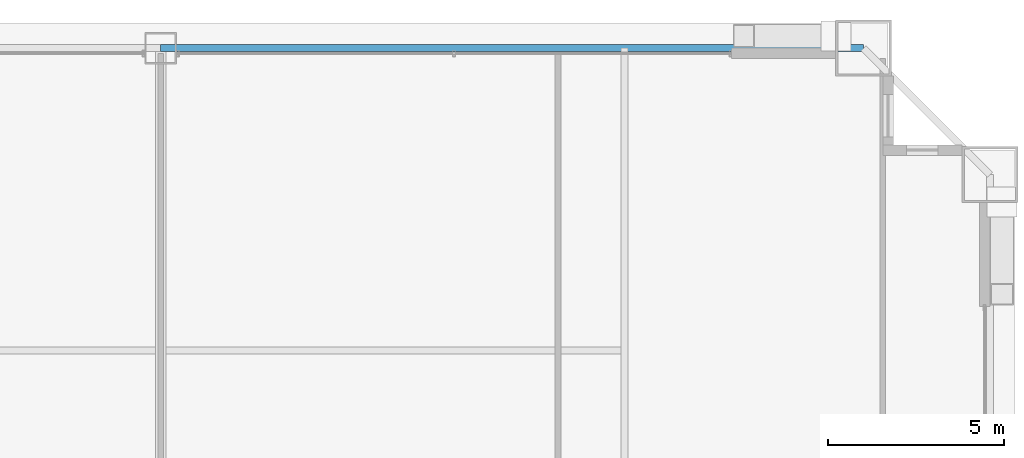
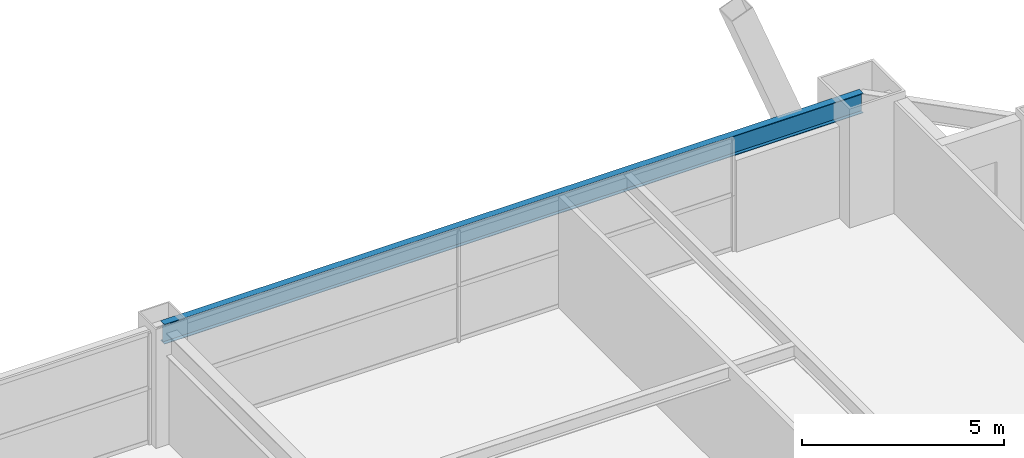
# One storey, part 36 of 43: 1 beam.
"""IFC4 building model written with IfcOpenShell, lengths in metres."""

from ifc_helpers import new_model, si_unit, direction, frame, origin, origin_2d, place, context, subcontext, project, spatial, i_section, extrude, source, transform, mapped, material, material_profile, profile_set, type_object, element, save


model = new_model("IFC4")

# Units and contexts
model_context = context("Model", 3, precision=1e-05, world=origin(), true_north=direction((0.0, 1.0)))
body_context = subcontext(model_context, "Body", "Model", "MODEL_VIEW")
ifc_project = project(units=[si_unit("LENGTHUNIT", "METRE"), si_unit("AREAUNIT", "SQUARE_METRE"), si_unit("VOLUMEUNIT", "CUBIC_METRE"), si_unit("PLANEANGLEUNIT", "RADIAN"), si_unit("MASSUNIT", "GRAM", prefix="KILO"), si_unit("THERMODYNAMICTEMPERATUREUNIT", "KELVIN"), si_unit("POWERUNIT", "WATT")], contexts=[model_context])

# Site, building, storey
site_placement = place(None, origin())
site = spatial("IfcSite", under=ifc_project, at=site_placement, CompositionType="ELEMENT")
building_placement = place(site_placement, origin())
building = spatial("IfcBuilding", under=site, at=building_placement, Name="Yuzanri Waterfront Tower", CompositionType="ELEMENT")
storey_placement = place(building_placement, frame((0.0, 0.0, 108.199951171875)))
storey = spatial("IfcBuildingStorey", under=building, at=storey_placement, Name="L28", CompositionType="ELEMENT", Elevation=108.199951171875)

# Beam
ifc_material = material(Name="Steel Q355B", Category="steel")
ifc_material_profile = material_profile(ifc_material, i_section(OverallWidth=0.199951171875, OverallDepth=0.60009765625, WebThickness=0.010986328125, FlangeThickness=0.01708984375, at=origin_2d()), Name="HN 600x200x11x17")
ifc_profile_set = profile_set([ifc_material_profile], Name="Steel Q355B")
beam_type = type_object("IfcBeamType", Name="Perimeter Spandrel Q355B HN 600x200", PredefinedType="SPANDREL", material=ifc_profile_set)
shared_shape = source(origin(), body_context, "Body", "SweptSolid", [
    extrude(i_section(OverallWidth=0.199951171875, OverallDepth=0.60009765625, WebThickness=0.010986328125, FlangeThickness=0.01708984375, at=origin_2d()), origin(), (0.0, 0.0, 1.0), 20.0),
])
beam_placement = place(storey_placement, frame((57.0, 49.39990234375, 3.080078125), z_axis=(-1.0, 0.0, 0.0), x_axis=(0.0, -1.0, 0.0)))
element("IfcBeam", 1, at=beam_placement, inside=storey, type_object=beam_type, Name="L28 Perimeter Spandrel N3-N2", PredefinedType="SPANDREL", context=body_context, shape_type="MappedRepresentation", body=[
    mapped(shared_shape, transform((0.0, 0.0, 0.0), scale=1.0)),
])

save(model, "model.ifc")
